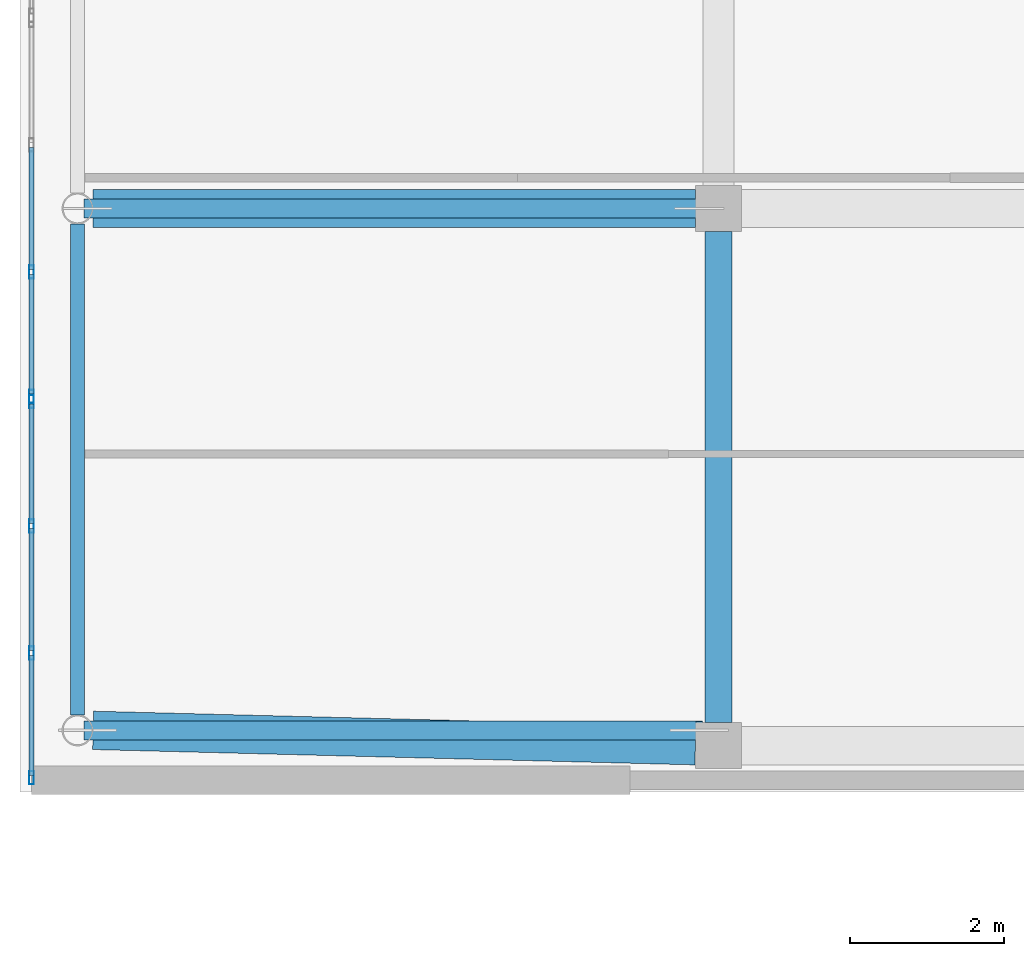
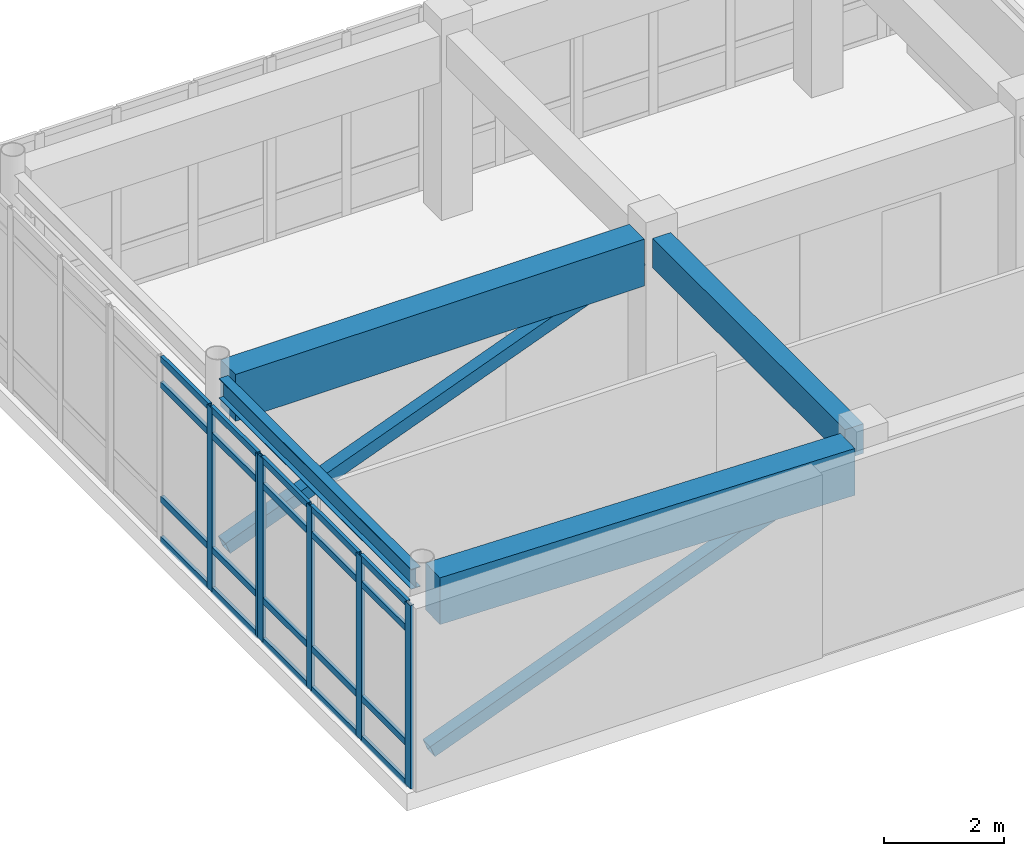
# One storey, part 16 of 91: 28 members, 4 beams, 2 elements without a shape of their own.
"""IFC4 building model written with IfcOpenShell, lengths in metres."""

from ifc_helpers import new_model, si_unit, direction, frame, origin, origin_2d, place, context, subcontext, project, spatial, rectangle, hollow_rectangle, i_section, extrude, material, layer, layer_set, material_profile, profile_set, type_object, element, aggregate, save


model = new_model("IFC4")

# Units and contexts
model_context = context("Model", 3, precision=1e-05, world=origin(), true_north=direction((0.0, 1.0)))
body_context = subcontext(model_context, "Body", "Model", "MODEL_VIEW")
ifc_project = project(units=[si_unit("LENGTHUNIT", "METRE"), si_unit("AREAUNIT", "SQUARE_METRE"), si_unit("VOLUMEUNIT", "CUBIC_METRE"), si_unit("PLANEANGLEUNIT", "RADIAN"), si_unit("MASSUNIT", "GRAM", prefix="KILO")], contexts=[model_context])

# Site, building, storey
site_placement = place(None, origin())
site = spatial("IfcSite", under=ifc_project, at=site_placement, CompositionType="ELEMENT")
building_placement = place(site_placement, origin())
building = spatial("IfcBuilding", under=site, at=building_placement, Name="Valcora Specialist Clinic", CompositionType="ELEMENT")
storey_placement = place(building_placement, frame((0.0, 0.0, 13.60009765625)))
storey = spatial("IfcBuildingStorey", under=building, at=storey_placement, Name="L03", CompositionType="ELEMENT", Elevation=13.60009765625)

# Beams
ifc_material_1 = material(Name="Steel ASTM A992 Grade 50", Category="steel")
ifc_material_profile_1 = material_profile(ifc_material_1, i_section(OverallWidth=0.177978515625, OverallDepth=0.406005859375, WebThickness=0.008056640625, FlangeThickness=0.012939453125, at=origin_2d()), Name="ST-IR-410X180")
ifc_profile_set_1 = profile_set([ifc_material_profile_1], Name="Steel ASTM A992 Grade 50")
beam_type_1 = type_object("IfcBeamType", Name="TY-BM-IR410", PredefinedType="SPANDREL", material=ifc_profile_set_1)
beam_1_placement = place(storey_placement, frame((0.75, 8.60302734375, 3.512939453125), z_axis=(0.0, 1.0, 0.0), x_axis=(-1.0, 0.0, 0.0)))
element("IfcBeam", 1, at=beam_1_placement, inside=storey, type_object=beam_type_1, Name="Beam BM-L03-1054", PredefinedType="SPANDREL", context=body_context, shape_type="SweptSolid", body=[
    extrude(i_section(OverallWidth=0.177978515625, OverallDepth=0.406005859375, WebThickness=0.008056640625, FlangeThickness=0.012939453125, at=origin_2d()), origin(), (0.0, 0.0, 1.0), 6.39404296875),
])
ifc_material_2 = material(Name="Concrete C40/50", Category="concrete")
ifc_material_profile_2 = material_profile(ifc_material_2, rectangle(XDim=0.35009765625, YDim=0.60009765625, at=origin_2d()), Name="RC-BM-350X600")
ifc_profile_set_2 = profile_set([ifc_material_profile_2], Name="Concrete C40/50")
beam_type_2 = type_object("IfcBeamType", Name="TY-BM-RC350X600", PredefinedType="BEAM", material=ifc_profile_set_2)
beam_2_placement = place(storey_placement, frame((9.10009765625, 8.5, 3.419921875), z_axis=(0.0, 1.0, 0.0), x_axis=(-1.0, 0.0, 0.0)))
element("IfcBeam", 2, at=beam_2_placement, inside=storey, type_object=beam_type_2, Name="Beam BM-L03-1056", PredefinedType="BEAM", context=body_context, shape_type="SweptSolid", body=[
    extrude(rectangle(XDim=0.35009765625, YDim=0.60009765625, at=origin_2d()), origin(), (0.0, 0.0, 1.0), 6.39990234375),
])
ifc_material_profile_3 = material_profile(ifc_material_2, rectangle(XDim=0.5, YDim=0.949951171875, at=origin_2d()), Name="RC-BM-500X950")
ifc_profile_set_3 = profile_set([ifc_material_profile_3], Name="Concrete C40/50")
beam_type_3 = type_object("IfcBeamType", Name="TY-BM-TR500X950", PredefinedType="BEAM", material=ifc_profile_set_3)
beam_3_placement = place(storey_placement, frame((0.952880859375, 8.39990234375, 3.244873046875), z_axis=(0.99967552548, -0.025472411654, 0.0), x_axis=(0.025472411654, 0.99967552548, 0.0)))
element("IfcBeam", 3, at=beam_3_placement, inside=storey, type_object=beam_type_3, Name="Beam BM-L03-1033", PredefinedType="BEAM", context=body_context, shape_type="SweptSolid", body=[
    extrude(rectangle(XDim=0.5, YDim=0.949951171875, at=origin_2d()), origin(), (0.0, 0.0, 1.0), 7.849609375),
])
beam_4_placement = place(storey_placement, frame((0.952880859375, 15.199951171875, 3.244873046875), z_axis=(1.0, 0.0, 0.0), x_axis=(0.0, 1.0, 0.0)))
element("IfcBeam", 4, at=beam_4_placement, inside=storey, type_object=beam_type_3, Name="Beam BM-L03-1040", PredefinedType="BEAM", context=body_context, shape_type="SweptSolid", body=[
    extrude(rectangle(XDim=0.5, YDim=0.949951171875, at=origin_2d()), origin(), (0.0, 0.0, 1.0), 7.84716796875),
])

# Curtain wall, members
ifc_material_3 = material(Name="Anodized Bronze Aluminium 6063-T6", Category="aluminium")
ifc_layer = layer(ifc_material_3, 0.175048828125)
ifc_layer_set = layer_set([ifc_layer], Name="Anodized Bronze Aluminium 6063-T6")
curtain_wall_type = type_object("IfcCurtainWallType", Name="TY-CW-V5F15", PredefinedType="NOTDEFINED", material=ifc_layer_set)
curtain_wall_1_placement = place(storey_placement, origin())
curtain_wall_1 = element("IfcCurtainWall", 5, at=curtain_wall_1_placement, inside=storey, type_object=curtain_wall_type, Name="Curtain wall CW-L03-152", PredefinedType="NOTDEFINED")
ifc_material_profile_4 = material_profile(ifc_material_3, hollow_rectangle(XDim=0.06494140625, YDim=0.175048828125, WallThickness=0.00390625, at=origin_2d()), Name="AL-MUL-65X175")
ifc_profile_set_4 = profile_set([ifc_material_profile_4], Name="Anodized Bronze Aluminium 6063-T6")
member_type_1 = type_object("IfcMemberType", Name="TY-CWM-65X175", PredefinedType="MULLION", material=ifc_profile_set_4)
member_1_placement = place(storey_placement, frame((0.14990234375, 7.782470703125, 0.0), z_axis=(0.0, 0.0, 1.0), x_axis=(-1.0, 0.0, 0.0)))
member_1 = element("IfcMember", 6, at=member_1_placement, type_object=member_type_1, Name="CW-V5F-15 mullion 1", PredefinedType="MULLION", context=body_context, shape_type="SweptSolid", body=[
    extrude(hollow_rectangle(XDim=0.06494140625, YDim=0.175048828125, WallThickness=0.00390625, at=origin_2d()), origin(), (0.0, 0.0, 1.0), 3.719970703125),
])
member_2_placement = place(storey_placement, frame((0.14990234375, 9.405517578125, 0.0), z_axis=(0.0, 0.0, 1.0), x_axis=(-1.0, 0.0, 0.0)))
member_2 = element("IfcMember", 7, at=member_2_placement, type_object=member_type_1, Name="CW-V5F-15 mullion 2", PredefinedType="MULLION", context=body_context, shape_type="SweptSolid", body=[
    extrude(hollow_rectangle(XDim=0.06494140625, YDim=0.175048828125, WallThickness=0.00390625, at=origin_2d()), origin(), (0.0, 0.0, 1.0), 3.719970703125),
])
member_3_placement = place(storey_placement, frame((0.14990234375, 11.06103515625, 0.0), z_axis=(0.0, 0.0, 1.0), x_axis=(-1.0, 0.0, 0.0)))
member_3 = element("IfcMember", 8, at=member_3_placement, type_object=member_type_1, Name="CW-V5F-15 mullion 3", PredefinedType="MULLION", context=body_context, shape_type="SweptSolid", body=[
    extrude(hollow_rectangle(XDim=0.06494140625, YDim=0.175048828125, WallThickness=0.00390625, at=origin_2d()), origin(), (0.0, 0.0, 1.0), 3.719970703125),
])
member_4_placement = place(storey_placement, frame((0.14990234375, 12.68408203125, 0.0), z_axis=(0.0, 0.0, 1.0), x_axis=(-1.0, 0.0, 0.0)))
member_4 = element("IfcMember", 9, at=member_4_placement, type_object=member_type_1, Name="CW-V5F-15 mullion 4", PredefinedType="MULLION", context=body_context, shape_type="SweptSolid", body=[
    extrude(hollow_rectangle(XDim=0.06494140625, YDim=0.175048828125, WallThickness=0.00390625, at=origin_2d()), origin(), (0.0, 0.0, 1.0), 3.719970703125),
])

curtain_wall_2_placement = place(storey_placement, origin())
curtain_wall_2 = element("IfcCurtainWall", 10, at=curtain_wall_2_placement, inside=storey, type_object=curtain_wall_type, Name="Curtain wall CW-L03-153", PredefinedType="NOTDEFINED")
member_5_placement = place(storey_placement, frame((0.14990234375, 12.749267578125, 0.0), z_axis=(0.0, 0.0, 1.0), x_axis=(-1.0, 0.0, 0.0)))
member_5 = element("IfcMember", 11, at=member_5_placement, type_object=member_type_1, Name="CW-V5F-15 mullion 1", PredefinedType="MULLION", context=body_context, shape_type="SweptSolid", body=[
    extrude(hollow_rectangle(XDim=0.06494140625, YDim=0.175048828125, WallThickness=0.00390625, at=origin_2d()), origin(), (0.0, 0.0, 1.0), 3.719970703125),
])
member_6_placement = place(storey_placement, frame((0.14990234375, 14.372314453125, 0.0), z_axis=(0.0, 0.0, 1.0), x_axis=(-1.0, 0.0, 0.0)))
member_6 = element("IfcMember", 12, at=member_6_placement, type_object=member_type_1, Name="CW-V5F-15 mullion 2", PredefinedType="MULLION", context=body_context, shape_type="SweptSolid", body=[
    extrude(hollow_rectangle(XDim=0.06494140625, YDim=0.175048828125, WallThickness=0.00390625, at=origin_2d()), origin(), (0.0, 0.0, 1.0), 3.719970703125),
])

# Member
ifc_material_profile_5 = material_profile(ifc_material_3, hollow_rectangle(XDim=0.06494140625, YDim=0.1298828125, WallThickness=0.00390625, at=origin_2d()), Name="AL-TRN-65X130")
ifc_profile_set_5 = profile_set([ifc_material_profile_5], Name="Anodized Bronze Aluminium 6063-T6")
member_type_2 = type_object("IfcMemberType", Name="TY-CWT-65X130", PredefinedType="USERDEFINED", material=ifc_profile_set_5)
member_7_placement = place(storey_placement, frame((0.14990234375, 7.81494140625, 0.032470703125), z_axis=(0.0, 1.0, 0.0), x_axis=(-1.0, 0.0, 0.0)))
member_7 = element("IfcMember", 13, at=member_7_placement, type_object=member_type_2, Name="CW-V5F-15 transom 1.1", ObjectType="TRANSOM", PredefinedType="USERDEFINED", context=body_context, shape_type="SweptSolid", body=[
    extrude(hollow_rectangle(XDim=0.06494140625, YDim=0.1298828125, WallThickness=0.00390625, at=origin_2d()), origin(), (0.0, 0.0, 1.0), 1.55810546875),
])

member_8_placement = place(storey_placement, frame((0.14990234375, 7.81494140625, 0.849853515625), z_axis=(0.0, 1.0, 0.0), x_axis=(-1.0, 0.0, 0.0)))
member_8 = element("IfcMember", 14, at=member_8_placement, type_object=member_type_2, Name="CW-V5F-15 transom 1.2", ObjectType="TRANSOM", PredefinedType="USERDEFINED", context=body_context, shape_type="SweptSolid", body=[
    extrude(hollow_rectangle(XDim=0.06494140625, YDim=0.1298828125, WallThickness=0.00390625, at=origin_2d()), origin(), (0.0, 0.0, 1.0), 1.55810546875),
])

member_9_placement = place(storey_placement, frame((0.14990234375, 7.81494140625, 3.169921875), z_axis=(0.0, 1.0, 0.0), x_axis=(-1.0, 0.0, 0.0)))
member_9 = element("IfcMember", 15, at=member_9_placement, type_object=member_type_2, Name="CW-V5F-15 transom 1.3", ObjectType="TRANSOM", PredefinedType="USERDEFINED", context=body_context, shape_type="SweptSolid", body=[
    extrude(hollow_rectangle(XDim=0.06494140625, YDim=0.1298828125, WallThickness=0.00390625, at=origin_2d()), origin(), (0.0, 0.0, 1.0), 1.55810546875),
])

member_10_placement = place(storey_placement, frame((0.14990234375, 7.81494140625, 3.6875), z_axis=(0.0, 1.0, 0.0), x_axis=(-1.0, 0.0, 0.0)))
member_10 = element("IfcMember", 16, at=member_10_placement, type_object=member_type_2, Name="CW-V5F-15 transom 1.4", ObjectType="TRANSOM", PredefinedType="USERDEFINED", context=body_context, shape_type="SweptSolid", body=[
    extrude(hollow_rectangle(XDim=0.06494140625, YDim=0.1298828125, WallThickness=0.00390625, at=origin_2d()), origin(), (0.0, 0.0, 1.0), 1.55810546875),
])

member_11_placement = place(storey_placement, frame((0.14990234375, 9.43798828125, 0.032470703125), z_axis=(0.0, 1.0, 0.0), x_axis=(-1.0, 0.0, 0.0)))
member_11 = element("IfcMember", 17, at=member_11_placement, type_object=member_type_2, Name="CW-V5F-15 transom 2.1", ObjectType="TRANSOM", PredefinedType="USERDEFINED", context=body_context, shape_type="SweptSolid", body=[
    extrude(hollow_rectangle(XDim=0.06494140625, YDim=0.1298828125, WallThickness=0.00390625, at=origin_2d()), origin(), (0.0, 0.0, 1.0), 1.590576171875),
])

member_12_placement = place(storey_placement, frame((0.14990234375, 9.43798828125, 0.849853515625), z_axis=(0.0, 1.0, 0.0), x_axis=(-1.0, 0.0, 0.0)))
member_12 = element("IfcMember", 18, at=member_12_placement, type_object=member_type_2, Name="CW-V5F-15 transom 2.2", ObjectType="TRANSOM", PredefinedType="USERDEFINED", context=body_context, shape_type="SweptSolid", body=[
    extrude(hollow_rectangle(XDim=0.06494140625, YDim=0.1298828125, WallThickness=0.00390625, at=origin_2d()), origin(), (0.0, 0.0, 1.0), 1.590576171875),
])

member_13_placement = place(storey_placement, frame((0.14990234375, 9.43798828125, 3.169921875), z_axis=(0.0, 1.0, 0.0), x_axis=(-1.0, 0.0, 0.0)))
member_13 = element("IfcMember", 19, at=member_13_placement, type_object=member_type_2, Name="CW-V5F-15 transom 2.3", ObjectType="TRANSOM", PredefinedType="USERDEFINED", context=body_context, shape_type="SweptSolid", body=[
    extrude(hollow_rectangle(XDim=0.06494140625, YDim=0.1298828125, WallThickness=0.00390625, at=origin_2d()), origin(), (0.0, 0.0, 1.0), 1.590576171875),
])

member_14_placement = place(storey_placement, frame((0.14990234375, 9.43798828125, 3.6875), z_axis=(0.0, 1.0, 0.0), x_axis=(-1.0, 0.0, 0.0)))
member_14 = element("IfcMember", 20, at=member_14_placement, type_object=member_type_2, Name="CW-V5F-15 transom 2.4", ObjectType="TRANSOM", PredefinedType="USERDEFINED", context=body_context, shape_type="SweptSolid", body=[
    extrude(hollow_rectangle(XDim=0.06494140625, YDim=0.1298828125, WallThickness=0.00390625, at=origin_2d()), origin(), (0.0, 0.0, 1.0), 1.590576171875),
])

member_15_placement = place(storey_placement, frame((0.14990234375, 11.09375, 0.032470703125), z_axis=(0.0, 1.0, 0.0), x_axis=(-1.0, 0.0, 0.0)))
member_15 = element("IfcMember", 21, at=member_15_placement, type_object=member_type_2, Name="CW-V5F-15 transom 3.1", ObjectType="TRANSOM", PredefinedType="USERDEFINED", context=body_context, shape_type="SweptSolid", body=[
    extrude(hollow_rectangle(XDim=0.06494140625, YDim=0.1298828125, WallThickness=0.00390625, at=origin_2d()), origin(), (0.0, 0.0, 1.0), 1.557861328125),
])

member_16_placement = place(storey_placement, frame((0.14990234375, 11.09375, 0.849853515625), z_axis=(0.0, 1.0, 0.0), x_axis=(-1.0, 0.0, 0.0)))
member_16 = element("IfcMember", 22, at=member_16_placement, type_object=member_type_2, Name="CW-V5F-15 transom 3.2", ObjectType="TRANSOM", PredefinedType="USERDEFINED", context=body_context, shape_type="SweptSolid", body=[
    extrude(hollow_rectangle(XDim=0.06494140625, YDim=0.1298828125, WallThickness=0.00390625, at=origin_2d()), origin(), (0.0, 0.0, 1.0), 1.557861328125),
])

member_17_placement = place(storey_placement, frame((0.14990234375, 11.09375, 3.169921875), z_axis=(0.0, 1.0, 0.0), x_axis=(-1.0, 0.0, 0.0)))
member_17 = element("IfcMember", 23, at=member_17_placement, type_object=member_type_2, Name="CW-V5F-15 transom 3.3", ObjectType="TRANSOM", PredefinedType="USERDEFINED", context=body_context, shape_type="SweptSolid", body=[
    extrude(hollow_rectangle(XDim=0.06494140625, YDim=0.1298828125, WallThickness=0.00390625, at=origin_2d()), origin(), (0.0, 0.0, 1.0), 1.557861328125),
])

member_18_placement = place(storey_placement, frame((0.14990234375, 11.09375, 3.6875), z_axis=(0.0, 1.0, 0.0), x_axis=(-1.0, 0.0, 0.0)))
member_18 = element("IfcMember", 24, at=member_18_placement, type_object=member_type_2, Name="CW-V5F-15 transom 3.4", ObjectType="TRANSOM", PredefinedType="USERDEFINED", context=body_context, shape_type="SweptSolid", body=[
    extrude(hollow_rectangle(XDim=0.06494140625, YDim=0.1298828125, WallThickness=0.00390625, at=origin_2d()), origin(), (0.0, 0.0, 1.0), 1.557861328125),
])

aggregate(curtain_wall_1, [member_1, member_2, member_3, member_4, member_7, member_8, member_9, member_10, member_11, member_12, member_13, member_14, member_15, member_16, member_17, member_18])

member_19_placement = place(storey_placement, frame((0.14990234375, 12.78173828125, 0.032470703125), z_axis=(0.0, 1.0, 0.0), x_axis=(-1.0, 0.0, 0.0)))
member_19 = element("IfcMember", 25, at=member_19_placement, type_object=member_type_2, Name="CW-V5F-15 transom 1.1", ObjectType="TRANSOM", PredefinedType="USERDEFINED", context=body_context, shape_type="SweptSolid", body=[
    extrude(hollow_rectangle(XDim=0.06494140625, YDim=0.1298828125, WallThickness=0.00390625, at=origin_2d()), origin(), (0.0, 0.0, 1.0), 1.55810546875),
])

member_20_placement = place(storey_placement, frame((0.14990234375, 12.78173828125, 0.849853515625), z_axis=(0.0, 1.0, 0.0), x_axis=(-1.0, 0.0, 0.0)))
member_20 = element("IfcMember", 26, at=member_20_placement, type_object=member_type_2, Name="CW-V5F-15 transom 1.2", ObjectType="TRANSOM", PredefinedType="USERDEFINED", context=body_context, shape_type="SweptSolid", body=[
    extrude(hollow_rectangle(XDim=0.06494140625, YDim=0.1298828125, WallThickness=0.00390625, at=origin_2d()), origin(), (0.0, 0.0, 1.0), 1.55810546875),
])

member_21_placement = place(storey_placement, frame((0.14990234375, 12.78173828125, 3.169921875), z_axis=(0.0, 1.0, 0.0), x_axis=(-1.0, 0.0, 0.0)))
member_21 = element("IfcMember", 27, at=member_21_placement, type_object=member_type_2, Name="CW-V5F-15 transom 1.3", ObjectType="TRANSOM", PredefinedType="USERDEFINED", context=body_context, shape_type="SweptSolid", body=[
    extrude(hollow_rectangle(XDim=0.06494140625, YDim=0.1298828125, WallThickness=0.00390625, at=origin_2d()), origin(), (0.0, 0.0, 1.0), 1.55810546875),
])

member_22_placement = place(storey_placement, frame((0.14990234375, 12.78173828125, 3.6875), z_axis=(0.0, 1.0, 0.0), x_axis=(-1.0, 0.0, 0.0)))
member_22 = element("IfcMember", 28, at=member_22_placement, type_object=member_type_2, Name="CW-V5F-15 transom 1.4", ObjectType="TRANSOM", PredefinedType="USERDEFINED", context=body_context, shape_type="SweptSolid", body=[
    extrude(hollow_rectangle(XDim=0.06494140625, YDim=0.1298828125, WallThickness=0.00390625, at=origin_2d()), origin(), (0.0, 0.0, 1.0), 1.55810546875),
])

member_23_placement = place(storey_placement, frame((0.14990234375, 14.40478515625, 0.032470703125), z_axis=(0.0, 1.0, 0.0), x_axis=(-1.0, 0.0, 0.0)))
member_23 = element("IfcMember", 29, at=member_23_placement, type_object=member_type_2, Name="CW-V5F-15 transom 2.1", ObjectType="TRANSOM", PredefinedType="USERDEFINED", context=body_context, shape_type="SweptSolid", body=[
    extrude(hollow_rectangle(XDim=0.06494140625, YDim=0.1298828125, WallThickness=0.00390625, at=origin_2d()), origin(), (0.0, 0.0, 1.0), 1.590576171875),
])

member_24_placement = place(storey_placement, frame((0.14990234375, 14.40478515625, 0.849853515625), z_axis=(0.0, 1.0, 0.0), x_axis=(-1.0, 0.0, 0.0)))
member_24 = element("IfcMember", 30, at=member_24_placement, type_object=member_type_2, Name="CW-V5F-15 transom 2.2", ObjectType="TRANSOM", PredefinedType="USERDEFINED", context=body_context, shape_type="SweptSolid", body=[
    extrude(hollow_rectangle(XDim=0.06494140625, YDim=0.1298828125, WallThickness=0.00390625, at=origin_2d()), origin(), (0.0, 0.0, 1.0), 1.590576171875),
])

member_25_placement = place(storey_placement, frame((0.14990234375, 14.40478515625, 3.169921875), z_axis=(0.0, 1.0, 0.0), x_axis=(-1.0, 0.0, 0.0)))
member_25 = element("IfcMember", 31, at=member_25_placement, type_object=member_type_2, Name="CW-V5F-15 transom 2.3", ObjectType="TRANSOM", PredefinedType="USERDEFINED", context=body_context, shape_type="SweptSolid", body=[
    extrude(hollow_rectangle(XDim=0.06494140625, YDim=0.1298828125, WallThickness=0.00390625, at=origin_2d()), origin(), (0.0, 0.0, 1.0), 1.590576171875),
])

member_26_placement = place(storey_placement, frame((0.14990234375, 14.40478515625, 3.6875), z_axis=(0.0, 1.0, 0.0), x_axis=(-1.0, 0.0, 0.0)))
member_26 = element("IfcMember", 32, at=member_26_placement, type_object=member_type_2, Name="CW-V5F-15 transom 2.4", ObjectType="TRANSOM", PredefinedType="USERDEFINED", context=body_context, shape_type="SweptSolid", body=[
    extrude(hollow_rectangle(XDim=0.06494140625, YDim=0.1298828125, WallThickness=0.00390625, at=origin_2d()), origin(), (0.0, 0.0, 1.0), 1.590576171875),
])

aggregate(curtain_wall_2, [member_5, member_6, member_19, member_20, member_21, member_22, member_23, member_24, member_25, member_26])

# Members
ifc_material_4 = material(Name="Steel ASTM A500 Grade C", Category="steel")
ifc_material_profile_6 = material_profile(ifc_material_4, hollow_rectangle(XDim=0.25, YDim=0.25, WallThickness=0.010009765625, at=origin_2d()), Name="ST-RHS-250X250X10")
ifc_profile_set_6 = profile_set([ifc_material_profile_6], Name="Steel ASTM A500 Grade C")
member_type_3 = type_object("IfcMemberType", Name="TY-MB-BR250", PredefinedType="BRACE", material=ifc_profile_set_6)
for number, where, z_axis, x_axis, name in (
    (33, (0.8798828125, 8.39990234375, 0.139892578125), (0.933557704896, 0.0, 0.358427135734), (0.0, 1.0, 0.0), "Cantilever diagonal brace MB-L03-0688"),
    (34, (0.8798828125, 15.199951171875, 0.139892578125), (0.933557704896, 0.0, 0.358427135734), (0.0, 1.0, 0.0), "Cantilever diagonal brace MB-L03-0692"),
):
    element("IfcMember", number, at=place(storey_placement, frame(where, z_axis=z_axis, x_axis=x_axis)), inside=storey, type_object=member_type_3, Name=name, PredefinedType="BRACE", context=body_context, shape_type="SweptSolid", body=[
        extrude(hollow_rectangle(XDim=0.25, YDim=0.25, WallThickness=0.010009765625, at=origin_2d()), origin(), (0.0, 0.0, 1.0), 8.537353515625),
    ])

save(model, "model.ifc")
